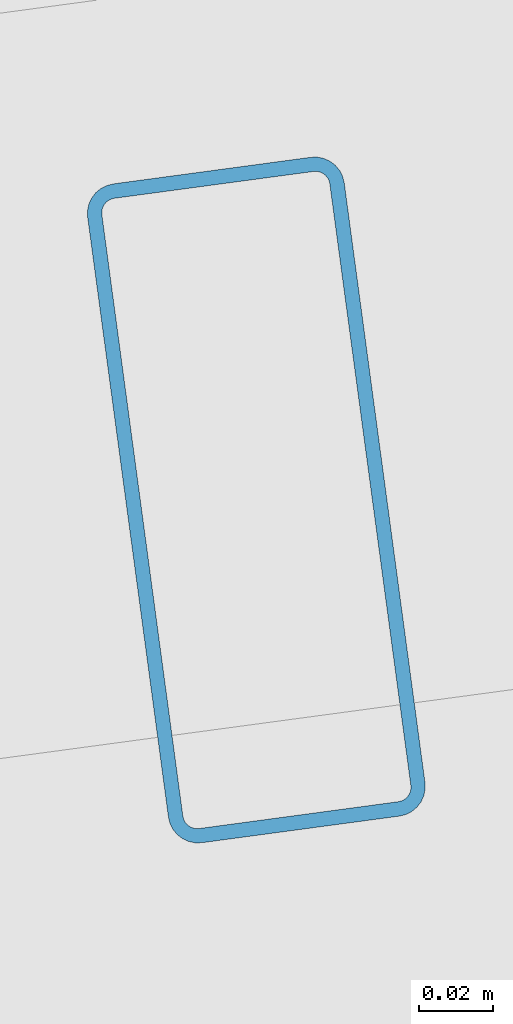
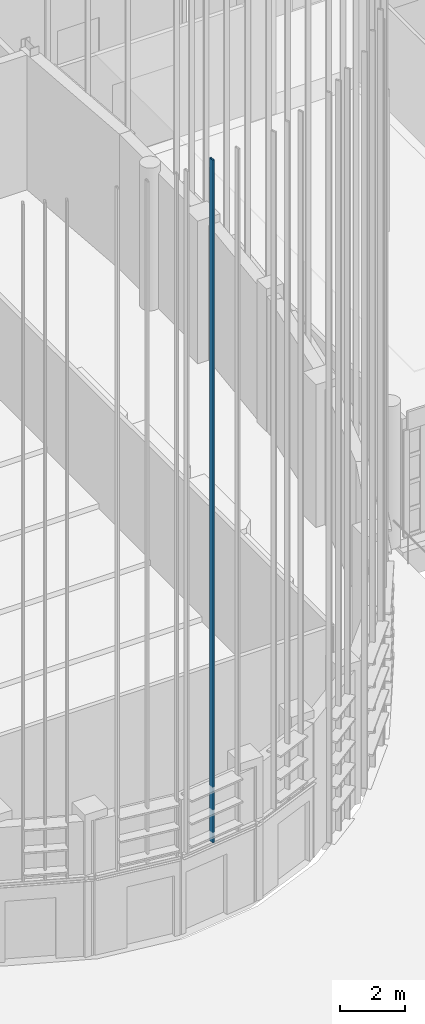
# One storey, part 38 of 372: 1 member.
"""IFC4 building model written with IfcOpenShell, lengths in metres."""

from ifc_helpers import new_model, si_unit, direction, frame, origin, origin_2d, place, context, subcontext, project, spatial, hollow_rectangle, extrude, material, material_profile, profile_set, type_object, element, save


model = new_model("IFC4")

# Units and contexts
model_context = context("Model", 3, precision=1e-05, world=origin(), true_north=direction((0.0, 1.0)))
body_context = subcontext(model_context, "Body", "Model", "MODEL_VIEW")
ifc_project = project(units=[si_unit("LENGTHUNIT", "METRE"), si_unit("AREAUNIT", "SQUARE_METRE"), si_unit("VOLUMEUNIT", "CUBIC_METRE"), si_unit("PLANEANGLEUNIT", "RADIAN"), si_unit("MASSUNIT", "GRAM", prefix="KILO")], contexts=[model_context])

# Site, building, storey
site_placement = place(None, origin())
site = spatial("IfcSite", under=ifc_project, at=site_placement, CompositionType="ELEMENT")
building_placement = place(site_placement, origin())
building = spatial("IfcBuilding", under=site, at=building_placement, Name="Kaelora Sail Theatre", CompositionType="ELEMENT")
storey_placement = place(building_placement, origin())
storey = spatial("IfcBuildingStorey", under=building, at=storey_placement, Name="L00", CompositionType="ELEMENT", Elevation=0.0)

# Member
ifc_material = material(Name="Anodised aluminium 6063-T6", Category="aluminium")
ifc_material_profile = material_profile(ifc_material, hollow_rectangle(XDim=0.070068359375, YDim=0.179931640625, WallThickness=0.00390625, InnerFilletRadius=0.00390625, OuterFilletRadius=0.008056640625, at=origin_2d()), Name="ALU-MULL 70x180x4")
ifc_profile_set = profile_set([ifc_material_profile], Name="Anodised aluminium 6063-T6")
member_type = type_object("IfcMemberType", Name="ARC-MEM-PST-160", PredefinedType="POST", material=ifc_profile_set)
member_placement = place(storey_placement, frame((43.1630859375, 23.694091796875, 3.10009765625), z_axis=(0.0, 0.0, 1.0), x_axis=(-0.991053218872, -0.133467289485, 0.0)))
element("IfcMember", 1, at=member_placement, inside=storey, type_object=member_type, Name="Main Theatre Sail Drum solar louvre vertical support post C11-2", PredefinedType="POST", context=body_context, shape_type="SweptSolid", body=[
    extrude(hollow_rectangle(XDim=0.070068359375, YDim=0.179931640625, WallThickness=0.00390625, InnerFilletRadius=0.00390625, OuterFilletRadius=0.008056640625, at=origin_2d()), origin(), (0.0, 0.0, 1.0), 25.814453125),
])

save(model, "model.ifc")
